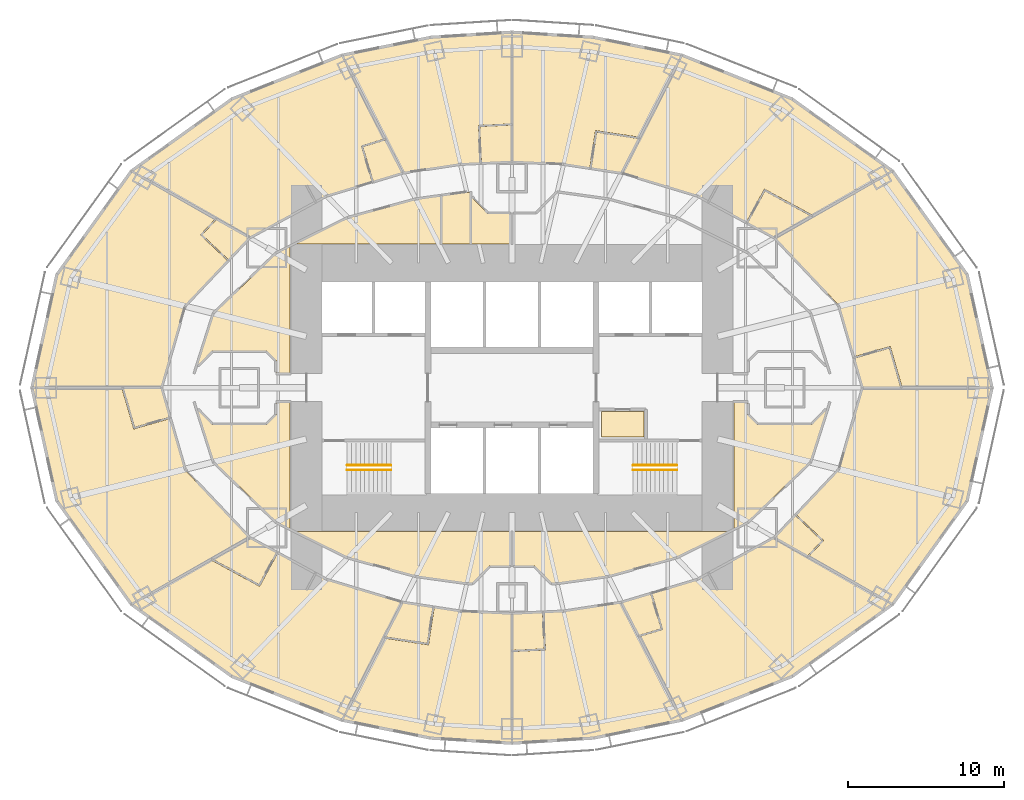
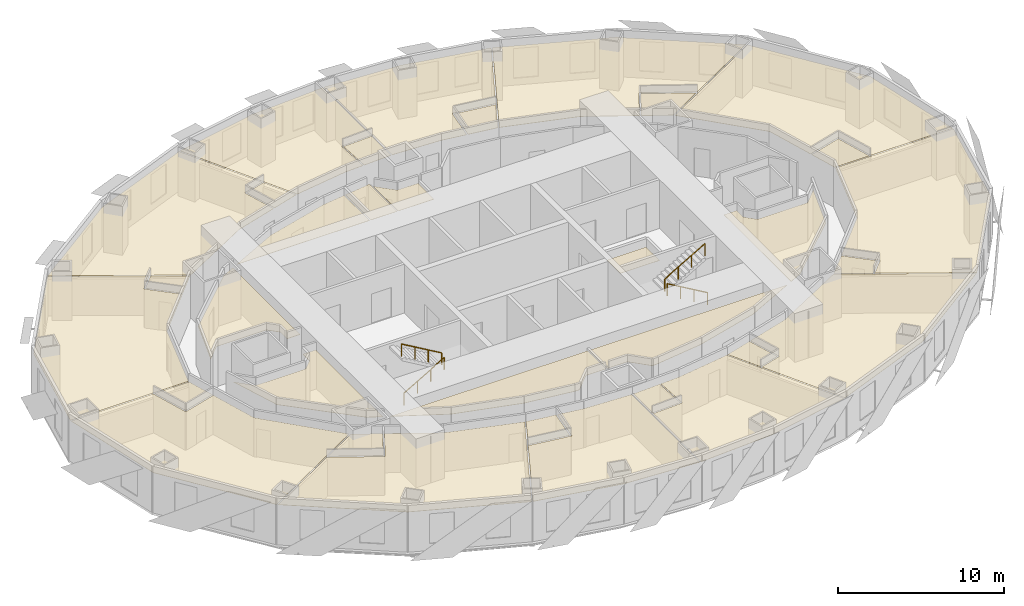
# One storey, part 15 of 15: 33 coverings, 4 railings.
"""IFC4 building model written with IfcOpenShell, lengths in metres."""

from ifc_helpers import new_model, si_unit, direction, frame, origin, origin_2d, place, context, subcontext, project, spatial, polyline, circle, outline, extrude, material, layer, layer_set, type_object, element, save


model = new_model("IFC4")

# Units and contexts
model_context = context("Model", 3, precision=1e-05, world=origin(), true_north=direction((0.0, 1.0)))
body_context = subcontext(model_context, "Body", "Model", "MODEL_VIEW")
ifc_project = project(units=[si_unit("LENGTHUNIT", "METRE"), si_unit("AREAUNIT", "SQUARE_METRE"), si_unit("VOLUMEUNIT", "CUBIC_METRE"), si_unit("PLANEANGLEUNIT", "RADIAN"), si_unit("MASSUNIT", "GRAM", prefix="KILO")], contexts=[model_context])

# Site, building, storey
site_placement = place(None, origin())
site = spatial("IfcSite", under=ifc_project, at=site_placement, CompositionType="ELEMENT")
building_placement = place(site_placement, origin())
building = spatial("IfcBuilding", under=site, at=building_placement, Name="Lantaw Convention Tower", CompositionType="ELEMENT")
storey_placement = place(building_placement, frame((0.0, 0.0, 91.0)))
storey = spatial("IfcBuildingStorey", under=building, at=storey_placement, Name="L21", CompositionType="ELEMENT", Elevation=91.0)

# Railings
ifc_material_1 = material(Name="Stainless steel", Category="steel")
railing_type = type_object("IfcRailingType", Name="Stair handrail", PredefinedType="HANDRAIL", material=ifc_material_1)
railing_1_placement = place(storey_placement, frame((-10.580078125, -5.280029296875, 0.16357421875)))
element("IfcRailing", 1, at=railing_1_placement, inside=storey, type_object=railing_type, Name="Stair handrail S1", PredefinedType="HANDRAIL", context=body_context, shape_type="SweptSolid", body=[
    extrude(circle(Radius=0.02392578125, at=origin_2d()), frame((0.0, 0.0, 0.8759765625), z_axis=(0.863360870873, 0.0, 0.504586966384), x_axis=(0.0, 1.0, 0.0)), (0.0, 0.0, 1.0), 3.2431640625),
    extrude(circle(Radius=0.02099609375, at=origin_2d()), origin(), (0.0, 0.0, 1.0), 0.851806640625),
    extrude(circle(Radius=0.02099609375, at=origin_2d()), frame((0.933349609375, 0.0, 0.54541015625)), (0.0, 0.0, 1.0), 0.851806640625),
    extrude(circle(Radius=0.02099609375, at=origin_2d()), frame((1.86669921875, 0.0, 1.091064453125)), (0.0, 0.0, 1.0), 0.851806640625),
    extrude(circle(Radius=0.02099609375, at=origin_2d()), frame((2.800048828125, 0.0, 1.636474609375)), (0.0, 0.0, 1.0), 0.851806640625),
])
for number, where, name in (
    (2, (-7.780029296875, -4.97998046875, 1.963623046875), "Stair handrail S1"),
    (3, (10.580078125, -5.280029296875, 0.16357421875), "Stair handrail S2"),
):
    element("IfcRailing", number, at=place(storey_placement, frame(where)), inside=storey, type_object=railing_type, Name=name, PredefinedType="HANDRAIL", context=body_context, shape_type="SweptSolid", body=[
        extrude(circle(Radius=0.02392578125, at=origin_2d()), frame((0.0, 0.0, 0.8759765625), z_axis=(-0.863360870873, 0.0, 0.504586966384), x_axis=(0.0, -1.0, 0.0)), (0.0, 0.0, 1.0), 3.2431640625),
        extrude(circle(Radius=0.02099609375, at=origin_2d()), origin(), (0.0, 0.0, 1.0), 0.851806640625),
        extrude(circle(Radius=0.02099609375, at=origin_2d()), frame((-0.933349609375, 0.0, 0.54541015625)), (0.0, 0.0, 1.0), 0.851806640625),
        extrude(circle(Radius=0.02099609375, at=origin_2d()), frame((-1.86669921875, 0.0, 1.091064453125)), (0.0, 0.0, 1.0), 0.851806640625),
        extrude(circle(Radius=0.02099609375, at=origin_2d()), frame((-2.800048828125, 0.0, 1.636474609375)), (0.0, 0.0, 1.0), 0.851806640625),
    ])
railing_2_placement = place(storey_placement, frame((7.780029296875, -4.97998046875, 1.963623046875)))
element("IfcRailing", 4, at=railing_2_placement, inside=storey, type_object=railing_type, Name="Stair handrail S2", PredefinedType="HANDRAIL", context=body_context, shape_type="SweptSolid", body=[
    extrude(circle(Radius=0.02392578125, at=origin_2d()), frame((0.0, 0.0, 0.8759765625), z_axis=(0.863360870873, 0.0, 0.504586966384), x_axis=(0.0, 1.0, 0.0)), (0.0, 0.0, 1.0), 3.2431640625),
    extrude(circle(Radius=0.02099609375, at=origin_2d()), origin(), (0.0, 0.0, 1.0), 0.851806640625),
    extrude(circle(Radius=0.02099609375, at=origin_2d()), frame((0.933349609375, 0.0, 0.54541015625)), (0.0, 0.0, 1.0), 0.851806640625),
    extrude(circle(Radius=0.02099609375, at=origin_2d()), frame((1.86669921875, 0.0, 1.091064453125)), (0.0, 0.0, 1.0), 0.851806640625),
    extrude(circle(Radius=0.02099609375, at=origin_2d()), frame((2.800048828125, 0.0, 1.636474609375)), (0.0, 0.0, 1.0), 0.851806640625),
])

# Coverings
ifc_material_2 = material(Name="Gypsum board on steel suspension grid", Category="steel")
ifc_layer = layer(ifc_material_2, 0.02001953125)
ifc_layer_set = layer_set([ifc_layer], Name="Suspended ceiling")
covering_type = type_object("IfcCoveringType", Name="Suspended ceiling", PredefinedType="CEILING", material=ifc_layer_set)
covering_1_placement = place(storey_placement, frame((0.0, 0.0, 2.85009765625)))
element("IfcCovering", 5, at=covering_1_placement, inside=storey, type_object=covering_type, Name="Staff WC ceiling", PredefinedType="CEILING", context=body_context, shape_type="SweptSolid", body=[
    extrude(outline(polyline([(5.739990234375, -3.159912109375), (8.4599609375, -3.159912109375), (8.4599609375, -1.5400390625), (5.739990234375, -1.5400390625), (5.739990234375, -3.159912109375)])), origin(), (0.0, 0.0, 1.0), 0.02001953125),
])
covering_2_placement = place(storey_placement, frame((0.0, 0.0, 2.85009765625)))
element("IfcCovering", 6, at=covering_2_placement, inside=storey, type_object=covering_type, Name="Accessible WC ceiling", PredefinedType="CEILING", context=body_context, shape_type="SweptSolid", body=[
    extrude(outline(polyline([(-2.610107421875, 9.239990234375), (-0.114990234375, 9.239990234375), (-0.114990234375, 11.175048828125), (-1.548828125, 11.175048828125), (-2.324951171875, 11.951171875), (-2.324951171875, 11.96337890625), (-2.610107421875, 12.24755859375), (-2.610107421875, 9.239990234375)])), origin(), (0.0, 0.0, 1.0), 0.02001953125),
])
covering_3_placement = place(storey_placement, frame((0.0, 0.0, 2.85009765625)))
element("IfcCovering", 7, at=covering_3_placement, inside=storey, type_object=covering_type, Name="Staff WC ceiling", PredefinedType="CEILING", context=body_context, shape_type="SweptSolid", body=[
    extrude(outline(polyline([(-2.68994140625, 12.543701171875), (-2.8994140625, 12.53466796875), (-4.510009765625, 12.311767578125), (-4.510009765625, 9.239990234375), (-2.68994140625, 9.239990234375), (-2.68994140625, 12.543701171875)])), origin(), (0.0, 0.0, 1.0), 0.02001953125),
])
covering_4_placement = place(storey_placement, frame((0.0, 0.0, 2.85009765625)))
element("IfcCovering", 8, at=covering_4_placement, inside=storey, type_object=covering_type, Name="Housekeeping room ceiling", PredefinedType="CEILING", context=body_context, shape_type="SweptSolid", body=[
    extrude(outline(polyline([(-13.87451171875, 9.239990234375), (-4.60009765625, 9.239990234375), (-4.60009765625, 12.29931640625), (-6.168212890625, 12.082275390625), (-10.537109375, 10.888671875), (-13.87451171875, 9.239990234375)])), origin(), (0.0, 0.0, 1.0), 0.02001953125),
])
covering_5_placement = place(storey_placement, frame((0.0, 0.0, 2.85009765625)))
element("IfcCovering", 9, at=covering_5_placement, inside=storey, type_object=covering_type, Name="Housekeeping room ceiling", PredefinedType="CEILING", context=body_context, shape_type="SweptSolid", body=[
    extrude(outline(polyline([(-19.864990234375, 1.72900390625), (-19.864990234375, 1.7412109375), (-19.2412109375, 2.364990234375), (-15.7587890625, 2.364990234375), (-15.135009765625, 1.7412109375), (-15.135009765625, 0.93994140625), (-14.239990234375, 0.93994140625), (-14.239990234375, 9.0595703125), (-15.124267578125, 8.62255859375), (-19.141845703125, 4.759521484375), (-20.22021484375, 1.37451171875), (-19.864990234375, 1.72900390625)])), origin(), (0.0, 0.0, 1.0), 0.02001953125),
])
covering_6_placement = place(storey_placement, frame((0.0, 0.0, 2.85009765625)))
element("IfcCovering", 10, at=covering_6_placement, inside=storey, type_object=covering_type, Name="Staff room ceiling", PredefinedType="CEILING", context=body_context, shape_type="SweptSolid", body=[
    extrude(outline(polyline([(-10.537109375, -10.888671875), (-6.168212890625, -12.082275390625), (-2.8994140625, -12.53466796875), (-2.544677734375, -12.550048828125), (-2.06494140625, -12.071044921875), (-2.06494140625, -12.058837890625), (-1.441162109375, -11.43505859375), (-0.0400390625, -11.43505859375), (-0.0400390625, -9.239990234375), (-13.87451171875, -9.239990234375), (-10.537109375, -10.888671875)])), origin(), (0.0, 0.0, 1.0), 0.02001953125),
])
covering_7_placement = place(storey_placement, frame((0.0, 0.0, 2.85009765625)))
element("IfcCovering", 11, at=covering_7_placement, inside=storey, type_object=covering_type, Name="Staff room ceiling", PredefinedType="CEILING", context=body_context, shape_type="SweptSolid", body=[
    extrude(outline(polyline([(-19.864990234375, -1.7412109375), (-19.864990234375, -1.72900390625), (-20.22021484375, -1.37451171875), (-19.141845703125, -4.759521484375), (-15.124267578125, -8.62255859375), (-14.239990234375, -9.0595703125), (-14.239990234375, -0.93994140625), (-15.135009765625, -0.93994140625), (-15.135009765625, -1.7412109375), (-15.7587890625, -2.364990234375), (-19.2412109375, -2.364990234375), (-19.864990234375, -1.7412109375)])), origin(), (0.0, 0.0, 1.0), 0.02001953125),
])
covering_8_placement = place(storey_placement, frame((0.0, 0.0, 2.85009765625)))
element("IfcCovering", 12, at=covering_8_placement, inside=storey, type_object=covering_type, Name="Room service pantry ceiling", PredefinedType="CEILING", context=body_context, shape_type="SweptSolid", body=[
    extrude(outline(polyline([(2.06494140625, -12.071044921875), (2.544677734375, -12.550048828125), (2.8994140625, -12.53466796875), (6.168212890625, -12.082275390625), (10.537109375, -10.888671875), (13.87451171875, -9.239990234375), (0.0400390625, -9.239990234375), (0.0400390625, -11.43505859375), (1.441162109375, -11.43505859375), (2.06494140625, -12.058837890625), (2.06494140625, -12.071044921875)])), origin(), (0.0, 0.0, 1.0), 0.02001953125),
])
covering_9_placement = place(storey_placement, frame((0.0, 0.0, 2.85009765625)))
element("IfcCovering", 13, at=covering_9_placement, inside=storey, type_object=covering_type, Name="Room service pantry ceiling", PredefinedType="CEILING", context=body_context, shape_type="SweptSolid", body=[
    extrude(outline(polyline([(14.239990234375, -0.93994140625), (14.239990234375, -9.0595703125), (15.124267578125, -8.62255859375), (19.141845703125, -4.759521484375), (20.22021484375, -1.37451171875), (19.864990234375, -1.72900390625), (19.864990234375, -1.7412109375), (19.2412109375, -2.364990234375), (15.7587890625, -2.364990234375), (15.135009765625, -1.7412109375), (15.135009765625, -0.93994140625), (14.239990234375, -0.93994140625)])), origin(), (0.0, 0.0, 1.0), 0.02001953125),
])
covering_10_placement = place(storey_placement, frame((0.0, 0.0, 2.85009765625)))
element("IfcCovering", 14, at=covering_10_placement, inside=storey, type_object=covering_type, Name="Junior suite bathroom ceiling", PredefinedType="CEILING", context=body_context, shape_type="SweptSolid", body=[
    extrude(outline(polyline([(22.530029296875, 0.0400390625), (24.945556640625, 0.0400390625), (24.221435546875, 2.539306640625), (21.992919921875, 1.893798828125), (22.530029296875, 0.0400390625)])), origin(), (0.0, 0.0, 1.0), 0.02001953125),
])
covering_11_placement = place(storey_placement, frame((0.0, 0.0, 2.85009765625)))
element("IfcCovering", 15, at=covering_11_placement, inside=storey, type_object=covering_type, Name="Junior suite ceiling", PredefinedType="CEILING", context=body_context, shape_type="SweptSolid", body=[
    extrude(outline(polyline([(16.899169921875, 9.6103515625), (21.02001953125, 5.25244140625), (21.967529296875, 1.982177734375), (24.2841796875, 2.6533203125), (25.041259765625, 0.0400390625), (30.77099609375, 0.0400390625), (29.184814453125, 7.237060546875), (24.423095703125, 13.8564453125), (16.899169921875, 9.6103515625)])), origin(), (0.0, 0.0, 1.0), 0.02001953125),
])
covering_12_placement = place(storey_placement, frame((0.0, 0.0, 2.85009765625)))
element("IfcCovering", 16, at=covering_12_placement, inside=storey, type_object=covering_type, Name="Junior suite bathroom ceiling", PredefinedType="CEILING", context=body_context, shape_type="SweptSolid", body=[
    extrude(outline(polyline([(16.83447265625, 9.665771484375), (19.202392578125, 11.018798828125), (16.240966796875, 12.629638671875), (15.13232421875, 10.591796875), (16.83447265625, 9.665771484375)])), origin(), (0.0, 0.0, 1.0), 0.02001953125),
])
covering_13_placement = place(storey_placement, frame((0.0, 0.0, 2.85009765625)))
element("IfcCovering", 17, at=covering_13_placement, inside=storey, type_object=covering_type, Name="Junior suite ceiling", PredefinedType="CEILING", context=body_context, shape_type="SweptSolid", body=[
    extrude(outline(polyline([(7.076904296875, 13.80078125), (11.90380859375, 12.347900390625), (15.051513671875, 10.6357421875), (16.2041015625, 12.75439453125), (19.31201171875, 11.06396484375), (24.3603515625, 13.912841796875), (17.951171875, 18.50634765625), (10.930908203125, 21.294921875), (7.076904296875, 13.80078125)])), origin(), (0.0, 0.0, 1.0), 0.02001953125),
])
covering_14_placement = place(storey_placement, frame((0.0, 0.0, 2.85009765625)))
element("IfcCovering", 18, at=covering_14_placement, inside=storey, type_object=covering_type, Name="Junior suite bathroom ceiling", PredefinedType="CEILING", context=body_context, shape_type="SweptSolid", body=[
    extrude(outline(polyline([(6.996826171875, 13.8203125), (8.1064453125, 15.997802734375), (5.437744140625, 16.405029296875), (5.087890625, 14.111572265625), (6.996826171875, 13.8203125)])), origin(), (0.0, 0.0, 1.0), 0.02001953125),
])
covering_15_placement = place(storey_placement, frame((0.0, 0.0, 2.85009765625)))
element("IfcCovering", 19, at=covering_15_placement, inside=storey, type_object=covering_type, Name="Junior suite ceiling", PredefinedType="CEILING", context=body_context, shape_type="SweptSolid", body=[
    extrude(outline(polyline([(0.0400390625, 14.5380859375), (3.315185546875, 14.382080078125), (4.996826171875, 14.12548828125), (5.360595703125, 16.509765625), (8.160400390625, 16.08251953125), (10.852294921875, 21.31689453125), (5.20556640625, 22.456298828125), (0.0400390625, 22.781982421875), (0.0400390625, 14.5380859375)])), origin(), (0.0, 0.0, 1.0), 0.02001953125),
])
covering_16_placement = place(storey_placement, frame((0.0, 0.0, 2.85009765625)))
element("IfcCovering", 20, at=covering_16_placement, inside=storey, type_object=covering_type, Name="Junior suite bathroom ceiling", PredefinedType="CEILING", context=body_context, shape_type="SweptSolid", body=[
    extrude(outline(polyline([(-0.0400390625, 14.5380859375), (-0.0400390625, 16.86083984375), (-2.070068359375, 16.763916015625), (-1.959716796875, 14.446533203125), (-0.0400390625, 14.5380859375)])), origin(), (0.0, 0.0, 1.0), 0.02001953125),
])
covering_17_placement = place(storey_placement, frame((0.0, 0.0, 2.85009765625)))
element("IfcCovering", 21, at=covering_17_placement, inside=storey, type_object=covering_type, Name="Junior suite ceiling", PredefinedType="CEILING", context=body_context, shape_type="SweptSolid", body=[
    extrude(outline(polyline([(-3.315185546875, 14.382080078125), (-2.03955078125, 14.44287109375), (-2.15380859375, 16.840087890625), (-0.0400390625, 16.94091796875), (-0.0400390625, 22.781982421875), (-5.20556640625, 22.456298828125), (-10.852294921875, 21.31689453125), (-6.9970703125, 13.8203125), (-3.315185546875, 14.382080078125)])), origin(), (0.0, 0.0, 1.0), 0.02001953125),
])
covering_18_placement = place(storey_placement, frame((0.0, 0.0, 2.85009765625)))
element("IfcCovering", 22, at=covering_18_placement, inside=storey, type_object=covering_type, Name="Junior suite bathroom ceiling", PredefinedType="CEILING", context=body_context, shape_type="SweptSolid", body=[
    extrude(outline(polyline([(-7.07666015625, 13.80078125), (-8.14697265625, 15.9013671875), (-9.576416015625, 15.47119140625), (-8.90771484375, 13.249755859375), (-7.07666015625, 13.80078125)])), origin(), (0.0, 0.0, 1.0), 0.02001953125),
])
covering_19_placement = place(storey_placement, frame((0.0, 0.0, 2.85009765625)))
element("IfcCovering", 23, at=covering_19_placement, inside=storey, type_object=covering_type, Name="Junior suite ceiling", PredefinedType="CEILING", context=body_context, shape_type="SweptSolid", body=[
    extrude(outline(polyline([(-11.90380859375, 12.347900390625), (-8.984375, 13.2265625), (-9.676025390625, 15.524658203125), (-8.193115234375, 15.97119140625), (-10.930908203125, 21.294921875), (-17.951171875, 18.50634765625), (-24.3603515625, 13.912841796875), (-16.834716796875, 9.665771484375), (-11.90380859375, 12.347900390625)])), origin(), (0.0, 0.0, 1.0), 0.02001953125),
])
covering_20_placement = place(storey_placement, frame((0.0, 0.0, 2.85009765625)))
element("IfcCovering", 24, at=covering_20_placement, inside=storey, type_object=covering_type, Name="Junior suite bathroom ceiling", PredefinedType="CEILING", context=body_context, shape_type="SweptSolid", body=[
    extrude(outline(polyline([(-16.89892578125, 9.610595703125), (-18.971923828125, 10.794921875), (-19.896484375, 9.8173828125), (-18.210693359375, 8.223388671875), (-16.89892578125, 9.610595703125)])), origin(), (0.0, 0.0, 1.0), 0.02001953125),
])
covering_21_placement = place(storey_placement, frame((0.0, 0.0, 2.85009765625)))
element("IfcCovering", 25, at=covering_21_placement, inside=storey, type_object=covering_type, Name="Junior suite ceiling", PredefinedType="CEILING", context=body_context, shape_type="SweptSolid", body=[
    extrude(outline(polyline([(-21.02001953125, 5.25244140625), (-18.265625, 8.165283203125), (-20.009521484375, 9.814208984375), (-19.052978515625, 10.82568359375), (-24.423095703125, 13.8564453125), (-29.184814453125, 7.237060546875), (-30.77099609375, 0.0400390625), (-22.530029296875, 0.0400390625), (-21.02001953125, 5.25244140625)])), origin(), (0.0, 0.0, 1.0), 0.02001953125),
])
covering_22_placement = place(storey_placement, frame((0.0, 0.0, 2.85009765625)))
element("IfcCovering", 26, at=covering_22_placement, inside=storey, type_object=covering_type, Name="Junior suite bathroom ceiling", PredefinedType="CEILING", context=body_context, shape_type="SweptSolid", body=[
    extrude(outline(polyline([(-22.530029296875, -0.0400390625), (-24.945556640625, -0.0400390625), (-24.221435546875, -2.539306640625), (-21.992919921875, -1.893798828125), (-22.530029296875, -0.0400390625)])), origin(), (0.0, 0.0, 1.0), 0.02001953125),
])
covering_23_placement = place(storey_placement, frame((0.0, 0.0, 2.85009765625)))
element("IfcCovering", 27, at=covering_23_placement, inside=storey, type_object=covering_type, Name="Junior suite ceiling", PredefinedType="CEILING", context=body_context, shape_type="SweptSolid", body=[
    extrude(outline(polyline([(-21.02001953125, -5.25244140625), (-21.967529296875, -1.982177734375), (-24.2841796875, -2.6533203125), (-25.041259765625, -0.0400390625), (-30.77099609375, -0.0400390625), (-29.184814453125, -7.237060546875), (-24.423095703125, -13.8564453125), (-16.899169921875, -9.6103515625), (-21.02001953125, -5.25244140625)])), origin(), (0.0, 0.0, 1.0), 0.02001953125),
])
covering_24_placement = place(storey_placement, frame((0.0, 0.0, 2.85009765625)))
element("IfcCovering", 28, at=covering_24_placement, inside=storey, type_object=covering_type, Name="Junior suite bathroom ceiling", PredefinedType="CEILING", context=body_context, shape_type="SweptSolid", body=[
    extrude(outline(polyline([(-16.83447265625, -9.665771484375), (-19.202392578125, -11.018798828125), (-16.240966796875, -12.629638671875), (-15.13232421875, -10.591796875), (-16.83447265625, -9.665771484375)])), origin(), (0.0, 0.0, 1.0), 0.02001953125),
])
covering_25_placement = place(storey_placement, frame((0.0, 0.0, 2.85009765625)))
element("IfcCovering", 29, at=covering_25_placement, inside=storey, type_object=covering_type, Name="Junior suite ceiling", PredefinedType="CEILING", context=body_context, shape_type="SweptSolid", body=[
    extrude(outline(polyline([(-19.31201171875, -11.06396484375), (-24.3603515625, -13.912841796875), (-17.951171875, -18.50634765625), (-10.930908203125, -21.294921875), (-7.076904296875, -13.80078125), (-11.90380859375, -12.347900390625), (-15.051513671875, -10.6357421875), (-16.2041015625, -12.75439453125), (-19.31201171875, -11.06396484375)])), origin(), (0.0, 0.0, 1.0), 0.02001953125),
])
covering_26_placement = place(storey_placement, frame((0.0, 0.0, 2.85009765625)))
element("IfcCovering", 30, at=covering_26_placement, inside=storey, type_object=covering_type, Name="Junior suite bathroom ceiling", PredefinedType="CEILING", context=body_context, shape_type="SweptSolid", body=[
    extrude(outline(polyline([(-6.996826171875, -13.8203125), (-8.1064453125, -15.997802734375), (-5.437744140625, -16.405029296875), (-5.087890625, -14.111572265625), (-6.996826171875, -13.8203125)])), origin(), (0.0, 0.0, 1.0), 0.02001953125),
])
covering_27_placement = place(storey_placement, frame((0.0, 0.0, 2.85009765625)))
element("IfcCovering", 31, at=covering_27_placement, inside=storey, type_object=covering_type, Name="Junior suite ceiling", PredefinedType="CEILING", context=body_context, shape_type="SweptSolid", body=[
    extrude(outline(polyline([(-3.315185546875, -14.382080078125), (-4.996826171875, -14.12548828125), (-5.360595703125, -16.509765625), (-8.160400390625, -16.08251953125), (-10.852294921875, -21.31689453125), (-5.20556640625, -22.456298828125), (-0.0400390625, -22.781982421875), (-0.0400390625, -14.5380859375), (-3.315185546875, -14.382080078125)])), origin(), (0.0, 0.0, 1.0), 0.02001953125),
])
covering_28_placement = place(storey_placement, frame((0.0, 0.0, 2.85009765625)))
element("IfcCovering", 32, at=covering_28_placement, inside=storey, type_object=covering_type, Name="Junior suite bathroom ceiling", PredefinedType="CEILING", context=body_context, shape_type="SweptSolid", body=[
    extrude(outline(polyline([(0.0400390625, -14.5380859375), (0.0400390625, -16.86083984375), (2.070068359375, -16.763916015625), (1.959716796875, -14.446533203125), (0.0400390625, -14.5380859375)])), origin(), (0.0, 0.0, 1.0), 0.02001953125),
])
covering_29_placement = place(storey_placement, frame((0.0, 0.0, 2.85009765625)))
element("IfcCovering", 33, at=covering_29_placement, inside=storey, type_object=covering_type, Name="Junior suite ceiling", PredefinedType="CEILING", context=body_context, shape_type="SweptSolid", body=[
    extrude(outline(polyline([(2.03955078125, -14.44287109375), (2.15380859375, -16.840087890625), (0.0400390625, -16.94091796875), (0.0400390625, -22.781982421875), (5.20556640625, -22.456298828125), (10.852294921875, -21.31689453125), (6.9970703125, -13.8203125), (3.315185546875, -14.382080078125), (2.03955078125, -14.44287109375)])), origin(), (0.0, 0.0, 1.0), 0.02001953125),
])
covering_30_placement = place(storey_placement, frame((0.0, 0.0, 2.85009765625)))
element("IfcCovering", 34, at=covering_30_placement, inside=storey, type_object=covering_type, Name="Junior suite bathroom ceiling", PredefinedType="CEILING", context=body_context, shape_type="SweptSolid", body=[
    extrude(outline(polyline([(7.07666015625, -13.80078125), (8.14697265625, -15.9013671875), (9.576416015625, -15.47119140625), (8.90771484375, -13.249755859375), (7.07666015625, -13.80078125)])), origin(), (0.0, 0.0, 1.0), 0.02001953125),
])
covering_31_placement = place(storey_placement, frame((0.0, 0.0, 2.85009765625)))
element("IfcCovering", 35, at=covering_31_placement, inside=storey, type_object=covering_type, Name="Junior suite ceiling", PredefinedType="CEILING", context=body_context, shape_type="SweptSolid", body=[
    extrude(outline(polyline([(8.984375, -13.2265625), (9.676025390625, -15.524658203125), (8.193115234375, -15.97119140625), (10.930908203125, -21.294921875), (17.951171875, -18.50634765625), (24.3603515625, -13.912841796875), (16.834716796875, -9.665771484375), (11.90380859375, -12.347900390625), (8.984375, -13.2265625)])), origin(), (0.0, 0.0, 1.0), 0.02001953125),
])
covering_32_placement = place(storey_placement, frame((0.0, 0.0, 2.85009765625)))
element("IfcCovering", 36, at=covering_32_placement, inside=storey, type_object=covering_type, Name="Junior suite bathroom ceiling", PredefinedType="CEILING", context=body_context, shape_type="SweptSolid", body=[
    extrude(outline(polyline([(16.89892578125, -9.610595703125), (18.971923828125, -10.794921875), (19.896484375, -9.8173828125), (18.210693359375, -8.223388671875), (16.89892578125, -9.610595703125)])), origin(), (0.0, 0.0, 1.0), 0.02001953125),
])
covering_33_placement = place(storey_placement, frame((0.0, 0.0, 2.85009765625)))
element("IfcCovering", 37, at=covering_33_placement, inside=storey, type_object=covering_type, Name="Junior suite ceiling", PredefinedType="CEILING", context=body_context, shape_type="SweptSolid", body=[
    extrude(outline(polyline([(21.02001953125, -5.25244140625), (18.265625, -8.165283203125), (20.009521484375, -9.814208984375), (19.052978515625, -10.82568359375), (24.423095703125, -13.8564453125), (29.184814453125, -7.237060546875), (30.77099609375, -0.0400390625), (22.530029296875, -0.0400390625), (21.02001953125, -5.25244140625)])), origin(), (0.0, 0.0, 1.0), 0.02001953125),
])

save(model, "model.ifc")
